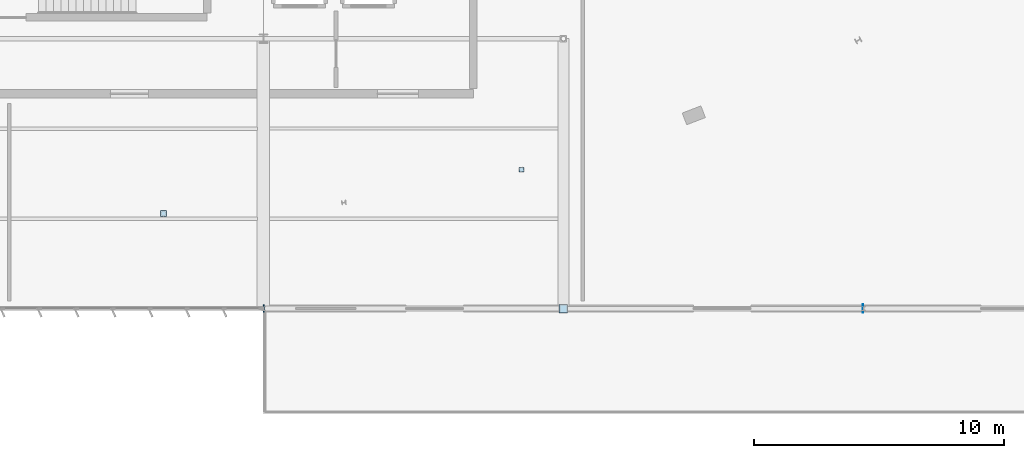
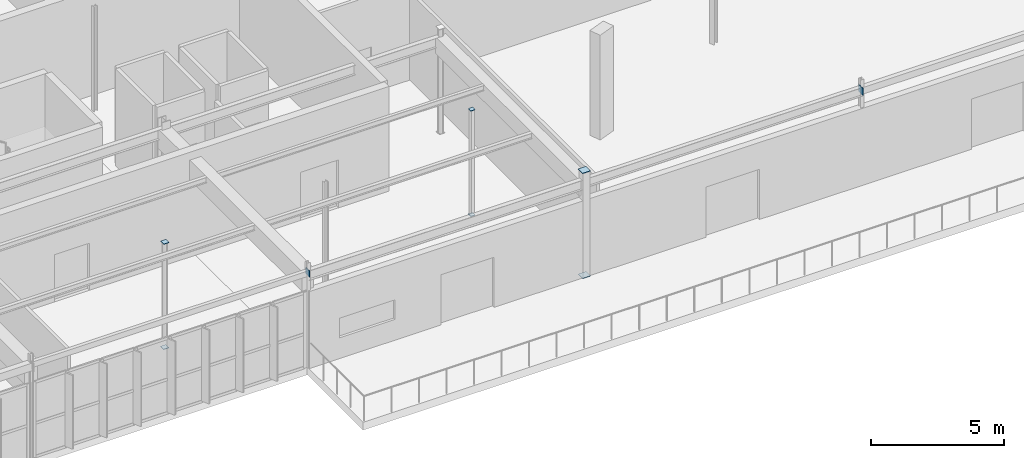
# One storey, part 136 of 199: 8 plates.
"""IFC4 building model written with IfcOpenShell, lengths in metres."""

from ifc_helpers import new_model, si_unit, direction, frame, origin, origin_2d, place, context, subcontext, project, spatial, rectangle, extrude, material, layer, layer_set, type_object, element, save


model = new_model("IFC4")

# Units and contexts
model_context = context("Model", 3, precision=1e-05, world=origin(), true_north=direction((0.0, 1.0)))
body_context = subcontext(model_context, "Body", "Model", "MODEL_VIEW")
ifc_project = project(units=[si_unit("LENGTHUNIT", "METRE"), si_unit("AREAUNIT", "SQUARE_METRE"), si_unit("VOLUMEUNIT", "CUBIC_METRE"), si_unit("PLANEANGLEUNIT", "RADIAN"), si_unit("MASSUNIT", "GRAM", prefix="KILO")], contexts=[model_context])

# Site, building, storey
site_placement = place(None, origin())
site = spatial("IfcSite", under=ifc_project, at=site_placement, CompositionType="ELEMENT")
building_placement = place(site_placement, origin())
building = spatial("IfcBuilding", under=site, at=building_placement, Name="Tarnwether General Hospital", CompositionType="ELEMENT")
storey_placement = place(building_placement, origin())
storey = spatial("IfcBuildingStorey", under=building, at=storey_placement, Name="L00", CompositionType="ELEMENT", Elevation=0.0)

# Plates
ifc_material = material(Name="Steel Grade 350 (350 MPa)", Category="steel")
ifc_layer = layer(ifc_material, 0.02490234375)
ifc_layer_set = layer_set([ifc_layer], Name="Steel Grade 350 (350 MPa)")
plate_type = type_object("IfcPlateType", Name="PT-GUS2", PredefinedType="USERDEFINED", material=ifc_layer_set)
for number, where, z_axis, x_axis, name in (
    (1, (108.0, 0.0, -0.02490234375), (0.0, 0.0, 1.0), (1.0, 0.0, 0.0), "Hollow Section Welded End Cap Plate 0187"),
    (2, (108.0, 0.0, 4.800048828125), (0.0, 0.0, 1.0), (1.0, 0.0, 0.0), "Hollow Section Welded End Cap Plate 0188"),
):
    element("IfcPlate", number, at=place(storey_placement, frame(where, z_axis=z_axis, x_axis=x_axis)), inside=storey, type_object=plate_type, Name=name, ObjectType="GUSSET", PredefinedType="USERDEFINED", context=body_context, shape_type="SweptSolid", body=[
        extrude(rectangle(XDim=0.340087890625, YDim=0.340087890625, at=origin_2d()), origin(), (0.0, 0.0, 1.0), 0.02490234375),
    ])
for number, where, z_axis, x_axis, name in (
    (3, (92.0, 3.800048828125, -0.02490234375), (0.0, 0.0, 1.0), (1.0, 0.0, 0.0), "Hollow Section Welded End Cap Plate 0677"),
    (4, (92.0, 3.800048828125, 4.800048828125), (0.0, 0.0, 1.0), (1.0, 0.0, 0.0), "Hollow Section Welded End Cap Plate 0678"),
):
    element("IfcPlate", number, at=place(storey_placement, frame(where, z_axis=z_axis, x_axis=x_axis)), inside=storey, type_object=plate_type, Name=name, ObjectType="GUSSET", PredefinedType="USERDEFINED", context=body_context, shape_type="SweptSolid", body=[
        extrude(rectangle(XDim=0.23388671875, YDim=0.23388671875, at=origin_2d()), origin(), (0.0, 0.0, 1.0), 0.02490234375),
    ])
for number, where, z_axis, x_axis, name in (
    (5, (106.322021484375, 5.55810546875, -0.02490234375), (0.0, 0.0, 1.0), (1.0, 0.0, 0.0), "Hollow Section Welded End Cap Plate 0705"),
    (6, (106.322021484375, 5.55810546875, 4.800048828125), (0.0, 0.0, 1.0), (1.0, 0.0, 0.0), "Hollow Section Welded End Cap Plate 0706"),
):
    element("IfcPlate", number, at=place(storey_placement, frame(where, z_axis=z_axis, x_axis=x_axis)), inside=storey, type_object=plate_type, Name=name, ObjectType="GUSSET", PredefinedType="USERDEFINED", context=body_context, shape_type="SweptSolid", body=[
        extrude(rectangle(XDim=0.18994140625, YDim=0.18994140625, at=origin_2d()), origin(), (0.0, 0.0, 1.0), 0.02490234375),
    ])
plate_1_placement = place(storey_placement, frame((96.012451171875, 0.0, 4.175048828125), z_axis=(0.0, 0.0, 1.0), x_axis=(1.0, 0.0, 0.0)))
element("IfcPlate", 7, at=plate_1_placement, inside=storey, type_object=plate_type, Name="Hollow Section Welded End Cap Plate 0880", ObjectType="GUSSET", PredefinedType="USERDEFINED", context=body_context, shape_type="SweptSolid", body=[
    extrude(rectangle(XDim=0.02490234375, YDim=0.2900390625, at=origin_2d()), origin(), (0.0, 0.0, 1.0), 0.2900390625),
])
plate_2_placement = place(storey_placement, frame((119.987548828125, 0.0, 4.125), z_axis=(0.0, 0.0, 1.0), x_axis=(1.0, 0.0, 0.0)))
element("IfcPlate", 8, at=plate_2_placement, inside=storey, type_object=plate_type, Name="Hollow Section Welded End Cap Plate 0885", ObjectType="GUSSET", PredefinedType="USERDEFINED", context=body_context, shape_type="SweptSolid", body=[
    extrude(rectangle(XDim=0.02490234375, YDim=0.340087890625, at=origin_2d()), origin(), (0.0, 0.0, 1.0), 0.340087890625),
])

save(model, "model.ifc")
